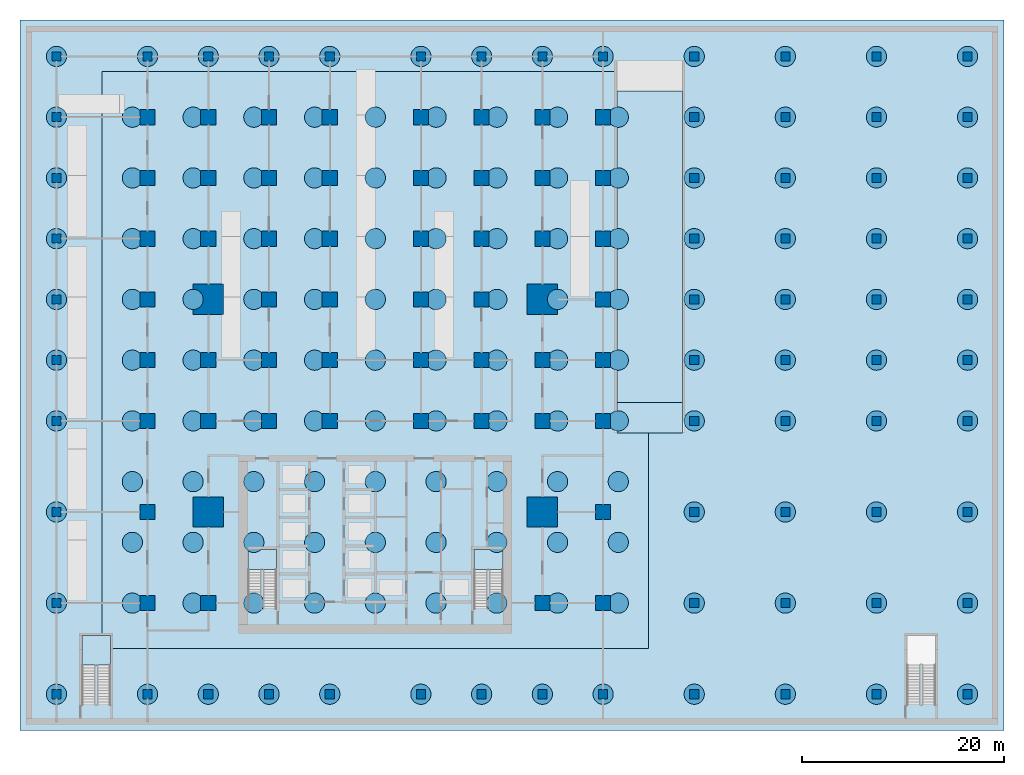
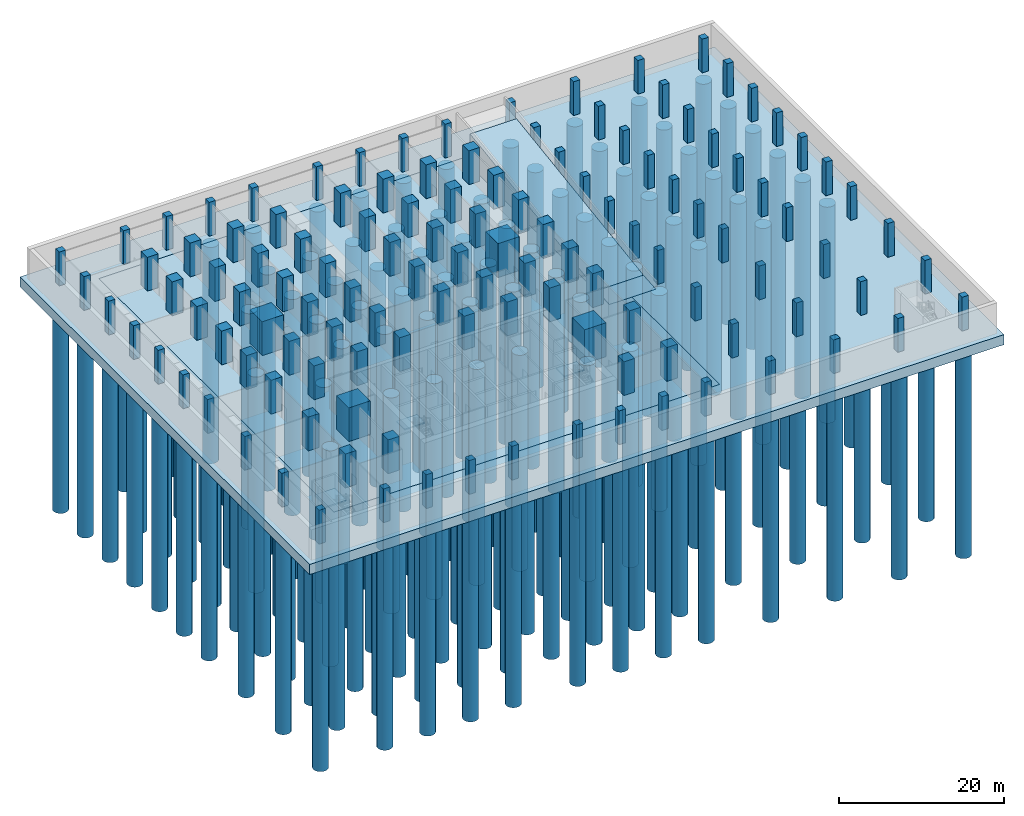
# One storey, part 1 of 12: 147 piles, 122 columns, 7 slabs, 3 elements without a shape of their own.
"""IFC4 building model written with IfcOpenShell, lengths in metres."""

from ifc_helpers import new_model, si_unit, direction, frame, origin, origin_2d, place, context, subcontext, project, spatial, polyline, rectangle, circle, outline, extrude, material, layer, layer_set, material_profile, profile_set, type_object, element, aggregate, save


model = new_model("IFC4")

# Units and contexts
model_context = context("Model", 3, precision=1e-05, world=origin(), true_north=direction((0.0, 1.0)))
body_context = subcontext(model_context, "Body", "Model", "MODEL_VIEW")
ifc_project = project(units=[si_unit("LENGTHUNIT", "METRE"), si_unit("AREAUNIT", "SQUARE_METRE"), si_unit("VOLUMEUNIT", "CUBIC_METRE"), si_unit("PLANEANGLEUNIT", "RADIAN"), si_unit("MASSUNIT", "GRAM", prefix="KILO")], contexts=[model_context])

# Site, building, storey
site_placement = place(None, origin())
site = spatial("IfcSite", under=ifc_project, at=site_placement, CompositionType="ELEMENT")
building_placement = place(site_placement, origin())
building = spatial("IfcBuilding", under=site, at=building_placement, Name="Finial Court Residences", CompositionType="ELEMENT")
storey_placement = place(building_placement, frame((0.0, 0.0, -5.0)))
storey = spatial("IfcBuildingStorey", under=building, at=storey_placement, Name="B1", CompositionType="ELEMENT", Elevation=-5.0)

# Piles
ifc_material_1 = material(Name="Concrete C45/55", Category="concrete")
ifc_material_profile_1 = material_profile(ifc_material_1, circle(Radius=1.0, at=origin_2d()), Name="D2000")
ifc_profile_set_1 = profile_set([ifc_material_profile_1], Name="Concrete C45/55")
pile_type = type_object("IfcPileType", Name="Bored pile (rock caisson) 2000 Concrete C45/55", PredefinedType="BORED", material=ifc_profile_set_1)
for number, where, z_axis, x_axis, name in (
    (1, (-24.0, -22.5, -3.39990234375), (0.0, 0.0, -1.0), (1.0, 0.0, 0.0), "S:PILE:001"),
    (2, (-24.0, -16.5, -3.39990234375), (0.0, 0.0, -1.0), (1.0, 0.0, 0.0), "S:PILE:002"),
    (3, (-24.0, -10.5, -3.39990234375), (0.0, 0.0, -1.0), (1.0, 0.0, 0.0), "S:PILE:003"),
    (4, (-24.0, -4.5, -3.39990234375), (0.0, 0.0, -1.0), (1.0, 0.0, 0.0), "S:PILE:004"),
    (5, (-24.0, 1.5, -3.39990234375), (0.0, 0.0, -1.0), (1.0, 0.0, 0.0), "S:PILE:005"),
    (6, (-24.0, 7.5, -3.39990234375), (0.0, 0.0, -1.0), (1.0, 0.0, 0.0), "S:PILE:006"),
    (7, (-24.0, 13.5, -3.39990234375), (0.0, 0.0, -1.0), (1.0, 0.0, 0.0), "S:PILE:007"),
    (8, (-24.0, 19.5, -3.39990234375), (0.0, 0.0, -1.0), (1.0, 0.0, 0.0), "S:PILE:008"),
    (9, (-24.0, 25.5, -3.39990234375), (0.0, 0.0, -1.0), (1.0, 0.0, 0.0), "S:PILE:009"),
    (10, (-18.0, -22.5, -3.39990234375), (0.0, 0.0, -1.0), (1.0, 0.0, 0.0), "S:PILE:010"),
    (11, (-18.0, -16.5, -3.39990234375), (0.0, 0.0, -1.0), (1.0, 0.0, 0.0), "S:PILE:011"),
    (12, (-18.0, -10.5, -3.39990234375), (0.0, 0.0, -1.0), (1.0, 0.0, 0.0), "S:PILE:012"),
    (13, (-18.0, -4.5, -3.39990234375), (0.0, 0.0, -1.0), (1.0, 0.0, 0.0), "S:PILE:013"),
    (14, (-18.0, 1.5, -3.39990234375), (0.0, 0.0, -1.0), (1.0, 0.0, 0.0), "S:PILE:014"),
    (15, (-18.0, 7.5, -3.39990234375), (0.0, 0.0, -1.0), (1.0, 0.0, 0.0), "S:PILE:015"),
    (16, (-18.0, 13.5, -3.39990234375), (0.0, 0.0, -1.0), (1.0, 0.0, 0.0), "S:PILE:016"),
    (17, (-18.0, 19.5, -3.39990234375), (0.0, 0.0, -1.0), (1.0, 0.0, 0.0), "S:PILE:017"),
    (18, (-18.0, 25.5, -3.39990234375), (0.0, 0.0, -1.0), (1.0, 0.0, 0.0), "S:PILE:018"),
    (19, (-12.0, -22.5, -3.39990234375), (0.0, 0.0, -1.0), (1.0, 0.0, 0.0), "S:PILE:019"),
    (20, (-12.0, -16.5, -3.39990234375), (0.0, 0.0, -1.0), (1.0, 0.0, 0.0), "S:PILE:020"),
    (21, (-12.0, -10.5, -3.39990234375), (0.0, 0.0, -1.0), (1.0, 0.0, 0.0), "S:PILE:021"),
    (22, (-12.0, -4.5, -3.39990234375), (0.0, 0.0, -1.0), (1.0, 0.0, 0.0), "S:PILE:022"),
    (23, (-12.0, 1.5, -3.39990234375), (0.0, 0.0, -1.0), (1.0, 0.0, 0.0), "S:PILE:023"),
    (24, (-12.0, 7.5, -3.39990234375), (0.0, 0.0, -1.0), (1.0, 0.0, 0.0), "S:PILE:024"),
    (25, (-12.0, 13.5, -3.39990234375), (0.0, 0.0, -1.0), (1.0, 0.0, 0.0), "S:PILE:025"),
    (26, (-12.0, 19.5, -3.39990234375), (0.0, 0.0, -1.0), (1.0, 0.0, 0.0), "S:PILE:026"),
    (27, (-12.0, 25.5, -3.39990234375), (0.0, 0.0, -1.0), (1.0, 0.0, 0.0), "S:PILE:027"),
    (28, (-6.0, -22.5, -3.39990234375), (0.0, 0.0, -1.0), (1.0, 0.0, 0.0), "S:PILE:028"),
    (29, (-6.0, -16.5, -3.39990234375), (0.0, 0.0, -1.0), (1.0, 0.0, 0.0), "S:PILE:029"),
    (30, (-6.0, -10.5, -3.39990234375), (0.0, 0.0, -1.0), (1.0, 0.0, 0.0), "S:PILE:030"),
    (31, (-6.0, -4.5, -3.39990234375), (0.0, 0.0, -1.0), (1.0, 0.0, 0.0), "S:PILE:031"),
    (32, (-6.0, 1.5, -3.39990234375), (0.0, 0.0, -1.0), (1.0, 0.0, 0.0), "S:PILE:032"),
    (33, (-6.0, 7.5, -3.39990234375), (0.0, 0.0, -1.0), (1.0, 0.0, 0.0), "S:PILE:033"),
    (34, (-6.0, 13.5, -3.39990234375), (0.0, 0.0, -1.0), (1.0, 0.0, 0.0), "S:PILE:034"),
    (35, (-6.0, 19.5, -3.39990234375), (0.0, 0.0, -1.0), (1.0, 0.0, 0.0), "S:PILE:035"),
    (36, (-6.0, 25.5, -3.39990234375), (0.0, 0.0, -1.0), (1.0, 0.0, 0.0), "S:PILE:036"),
    (37, (0.0, -22.5, -3.39990234375), (0.0, 0.0, -1.0), (1.0, 0.0, 0.0), "S:PILE:037"),
    (38, (0.0, -16.5, -3.39990234375), (0.0, 0.0, -1.0), (1.0, 0.0, 0.0), "S:PILE:038"),
    (39, (0.0, -10.5, -3.39990234375), (0.0, 0.0, -1.0), (1.0, 0.0, 0.0), "S:PILE:039"),
    (40, (0.0, -4.5, -3.39990234375), (0.0, 0.0, -1.0), (1.0, 0.0, 0.0), "S:PILE:040"),
    (41, (0.0, 1.5, -3.39990234375), (0.0, 0.0, -1.0), (1.0, 0.0, 0.0), "S:PILE:041"),
    (42, (0.0, 7.5, -3.39990234375), (0.0, 0.0, -1.0), (1.0, 0.0, 0.0), "S:PILE:042"),
    (43, (0.0, 13.5, -3.39990234375), (0.0, 0.0, -1.0), (1.0, 0.0, 0.0), "S:PILE:043"),
    (44, (0.0, 19.5, -3.39990234375), (0.0, 0.0, -1.0), (1.0, 0.0, 0.0), "S:PILE:044"),
    (45, (0.0, 25.5, -3.39990234375), (0.0, 0.0, -1.0), (1.0, 0.0, 0.0), "S:PILE:045"),
    (46, (6.0, -22.5, -3.39990234375), (0.0, 0.0, -1.0), (1.0, 0.0, 0.0), "S:PILE:046"),
    (47, (6.0, -16.5, -3.39990234375), (0.0, 0.0, -1.0), (1.0, 0.0, 0.0), "S:PILE:047"),
    (48, (6.0, -10.5, -3.39990234375), (0.0, 0.0, -1.0), (1.0, 0.0, 0.0), "S:PILE:048"),
    (49, (6.0, -4.5, -3.39990234375), (0.0, 0.0, -1.0), (1.0, 0.0, 0.0), "S:PILE:049"),
    (50, (6.0, 1.5, -3.39990234375), (0.0, 0.0, -1.0), (1.0, 0.0, 0.0), "S:PILE:050"),
    (51, (6.0, 7.5, -3.39990234375), (0.0, 0.0, -1.0), (1.0, 0.0, 0.0), "S:PILE:051"),
    (52, (6.0, 13.5, -3.39990234375), (0.0, 0.0, -1.0), (1.0, 0.0, 0.0), "S:PILE:052"),
    (53, (6.0, 19.5, -3.39990234375), (0.0, 0.0, -1.0), (1.0, 0.0, 0.0), "S:PILE:053"),
    (54, (6.0, 25.5, -3.39990234375), (0.0, 0.0, -1.0), (1.0, 0.0, 0.0), "S:PILE:054"),
    (55, (12.0, -22.5, -3.39990234375), (0.0, 0.0, -1.0), (1.0, 0.0, 0.0), "S:PILE:055"),
    (56, (12.0, -16.5, -3.39990234375), (0.0, 0.0, -1.0), (1.0, 0.0, 0.0), "S:PILE:056"),
    (57, (12.0, -10.5, -3.39990234375), (0.0, 0.0, -1.0), (1.0, 0.0, 0.0), "S:PILE:057"),
    (58, (12.0, -4.5, -3.39990234375), (0.0, 0.0, -1.0), (1.0, 0.0, 0.0), "S:PILE:058"),
    (59, (12.0, 1.5, -3.39990234375), (0.0, 0.0, -1.0), (1.0, 0.0, 0.0), "S:PILE:059"),
    (60, (12.0, 7.5, -3.39990234375), (0.0, 0.0, -1.0), (1.0, 0.0, 0.0), "S:PILE:060"),
    (61, (12.0, 13.5, -3.39990234375), (0.0, 0.0, -1.0), (1.0, 0.0, 0.0), "S:PILE:061"),
    (62, (12.0, 19.5, -3.39990234375), (0.0, 0.0, -1.0), (1.0, 0.0, 0.0), "S:PILE:062"),
    (63, (12.0, 25.5, -3.39990234375), (0.0, 0.0, -1.0), (1.0, 0.0, 0.0), "S:PILE:063"),
    (64, (18.0, -22.5, -3.39990234375), (0.0, 0.0, -1.0), (1.0, 0.0, 0.0), "S:PILE:064"),
    (65, (18.0, -16.5, -3.39990234375), (0.0, 0.0, -1.0), (1.0, 0.0, 0.0), "S:PILE:065"),
    (66, (18.0, -10.5, -3.39990234375), (0.0, 0.0, -1.0), (1.0, 0.0, 0.0), "S:PILE:066"),
    (67, (18.0, -4.5, -3.39990234375), (0.0, 0.0, -1.0), (1.0, 0.0, 0.0), "S:PILE:067"),
    (68, (18.0, 1.5, -3.39990234375), (0.0, 0.0, -1.0), (1.0, 0.0, 0.0), "S:PILE:068"),
    (69, (18.0, 7.5, -3.39990234375), (0.0, 0.0, -1.0), (1.0, 0.0, 0.0), "S:PILE:069"),
    (70, (18.0, 13.5, -3.39990234375), (0.0, 0.0, -1.0), (1.0, 0.0, 0.0), "S:PILE:070"),
    (71, (18.0, 19.5, -3.39990234375), (0.0, 0.0, -1.0), (1.0, 0.0, 0.0), "S:PILE:071"),
    (72, (18.0, 25.5, -3.39990234375), (0.0, 0.0, -1.0), (1.0, 0.0, 0.0), "S:PILE:072"),
    (73, (24.0, -22.5, -3.39990234375), (0.0, 0.0, -1.0), (1.0, 0.0, 0.0), "S:PILE:073"),
    (74, (24.0, -16.5, -3.39990234375), (0.0, 0.0, -1.0), (1.0, 0.0, 0.0), "S:PILE:074"),
    (75, (24.0, -10.5, -3.39990234375), (0.0, 0.0, -1.0), (1.0, 0.0, 0.0), "S:PILE:075"),
    (76, (24.0, -4.5, -3.39990234375), (0.0, 0.0, -1.0), (1.0, 0.0, 0.0), "S:PILE:076"),
    (77, (24.0, 1.5, -3.39990234375), (0.0, 0.0, -1.0), (1.0, 0.0, 0.0), "S:PILE:077"),
    (78, (24.0, 7.5, -3.39990234375), (0.0, 0.0, -1.0), (1.0, 0.0, 0.0), "S:PILE:078"),
    (79, (24.0, 13.5, -3.39990234375), (0.0, 0.0, -1.0), (1.0, 0.0, 0.0), "S:PILE:079"),
    (80, (24.0, 19.5, -3.39990234375), (0.0, 0.0, -1.0), (1.0, 0.0, 0.0), "S:PILE:080"),
    (81, (24.0, 25.5, -3.39990234375), (0.0, 0.0, -1.0), (1.0, 0.0, 0.0), "S:PILE:081"),
    (82, (-31.5, -31.5, -1.39990234375), (0.0, 0.0, -1.0), (1.0, 0.0, 0.0), "S:PILE:082"),
    (83, (-31.5, -22.5, -1.39990234375), (0.0, 0.0, -1.0), (1.0, 0.0, 0.0), "S:PILE:083"),
    (84, (-31.5, -13.5, -1.39990234375), (0.0, 0.0, -1.0), (1.0, 0.0, 0.0), "S:PILE:084"),
    (85, (-31.5, -4.5, -1.39990234375), (0.0, 0.0, -1.0), (1.0, 0.0, 0.0), "S:PILE:085"),
    (86, (-31.5, 1.5, -1.39990234375), (0.0, 0.0, -1.0), (1.0, 0.0, 0.0), "S:PILE:086"),
    (87, (-31.5, 7.5, -1.39990234375), (0.0, 0.0, -1.0), (1.0, 0.0, 0.0), "S:PILE:087"),
    (88, (-31.5, 13.5, -1.39990234375), (0.0, 0.0, -1.0), (1.0, 0.0, 0.0), "S:PILE:088"),
    (89, (-31.5, 19.5, -1.39990234375), (0.0, 0.0, -1.0), (1.0, 0.0, 0.0), "S:PILE:089"),
    (90, (-31.5, 25.5, -1.39990234375), (0.0, 0.0, -1.0), (1.0, 0.0, 0.0), "S:PILE:090"),
    (91, (-31.5, 31.5, -1.39990234375), (0.0, 0.0, -1.0), (1.0, 0.0, 0.0), "S:PILE:091"),
    (92, (-22.5, -31.5, -1.39990234375), (0.0, 0.0, -1.0), (1.0, 0.0, 0.0), "S:PILE:092"),
    (93, (-22.5, 31.5, -1.39990234375), (0.0, 0.0, -1.0), (1.0, 0.0, 0.0), "S:PILE:093"),
    (94, (-16.5, -31.5, -1.39990234375), (0.0, 0.0, -1.0), (1.0, 0.0, 0.0), "S:PILE:094"),
    (95, (-16.5, 31.5, -1.39990234375), (0.0, 0.0, -1.0), (1.0, 0.0, 0.0), "S:PILE:095"),
    (96, (-10.5, -31.5, -1.39990234375), (0.0, 0.0, -1.0), (1.0, 0.0, 0.0), "S:PILE:096"),
    (97, (-10.5, 31.5, -1.39990234375), (0.0, 0.0, -1.0), (1.0, 0.0, 0.0), "S:PILE:097"),
    (98, (-4.5, -31.5, -1.39990234375), (0.0, 0.0, -1.0), (1.0, 0.0, 0.0), "S:PILE:098"),
    (99, (-4.5, 31.5, -1.39990234375), (0.0, 0.0, -1.0), (1.0, 0.0, 0.0), "S:PILE:099"),
    (100, (4.5, -31.5, -1.39990234375), (0.0, 0.0, -1.0), (1.0, 0.0, 0.0), "S:PILE:100"),
    (101, (4.5, 31.5, -1.39990234375), (0.0, 0.0, -1.0), (1.0, 0.0, 0.0), "S:PILE:101"),
    (102, (10.5, -31.5, -1.39990234375), (0.0, 0.0, -1.0), (1.0, 0.0, 0.0), "S:PILE:102"),
    (103, (10.5, 31.5, -1.39990234375), (0.0, 0.0, -1.0), (1.0, 0.0, 0.0), "S:PILE:103"),
    (104, (16.5, -31.5, -1.39990234375), (0.0, 0.0, -1.0), (1.0, 0.0, 0.0), "S:PILE:104"),
    (105, (16.5, 31.5, -1.39990234375), (0.0, 0.0, -1.0), (1.0, 0.0, 0.0), "S:PILE:105"),
    (106, (22.5, -31.5, -1.39990234375), (0.0, 0.0, -1.0), (1.0, 0.0, 0.0), "S:PILE:106"),
    (107, (22.5, 31.5, -1.39990234375), (0.0, 0.0, -1.0), (1.0, 0.0, 0.0), "S:PILE:107"),
    (108, (31.5, -31.5, -1.39990234375), (0.0, 0.0, -1.0), (1.0, 0.0, 0.0), "S:PILE:108"),
    (109, (31.5, -22.5, -1.39990234375), (0.0, 0.0, -1.0), (1.0, 0.0, 0.0), "S:PILE:109"),
    (110, (31.5, -13.5, -1.39990234375), (0.0, 0.0, -1.0), (1.0, 0.0, 0.0), "S:PILE:110"),
    (111, (31.5, -4.5, -1.39990234375), (0.0, 0.0, -1.0), (1.0, 0.0, 0.0), "S:PILE:111"),
    (112, (31.5, 1.5, -1.39990234375), (0.0, 0.0, -1.0), (1.0, 0.0, 0.0), "S:PILE:112"),
    (113, (31.5, 7.5, -1.39990234375), (0.0, 0.0, -1.0), (1.0, 0.0, 0.0), "S:PILE:113"),
    (114, (31.5, 13.5, -1.39990234375), (0.0, 0.0, -1.0), (1.0, 0.0, 0.0), "S:PILE:114"),
    (115, (31.5, 19.5, -1.39990234375), (0.0, 0.0, -1.0), (1.0, 0.0, 0.0), "S:PILE:115"),
    (116, (31.5, 25.5, -1.39990234375), (0.0, 0.0, -1.0), (1.0, 0.0, 0.0), "S:PILE:116"),
    (117, (31.5, 31.5, -1.39990234375), (0.0, 0.0, -1.0), (1.0, 0.0, 0.0), "S:PILE:117"),
    (118, (40.5, -31.5, -1.39990234375), (0.0, 0.0, -1.0), (1.0, 0.0, 0.0), "S:PILE:118"),
    (119, (40.5, -22.5, -1.39990234375), (0.0, 0.0, -1.0), (1.0, 0.0, 0.0), "S:PILE:119"),
    (120, (40.5, -13.5, -1.39990234375), (0.0, 0.0, -1.0), (1.0, 0.0, 0.0), "S:PILE:120"),
    (121, (40.5, -4.5, -1.39990234375), (0.0, 0.0, -1.0), (1.0, 0.0, 0.0), "S:PILE:121"),
    (122, (40.5, 1.5, -1.39990234375), (0.0, 0.0, -1.0), (1.0, 0.0, 0.0), "S:PILE:122"),
    (123, (40.5, 7.5, -1.39990234375), (0.0, 0.0, -1.0), (1.0, 0.0, 0.0), "S:PILE:123"),
    (124, (40.5, 13.5, -1.39990234375), (0.0, 0.0, -1.0), (1.0, 0.0, 0.0), "S:PILE:124"),
    (125, (40.5, 19.5, -1.39990234375), (0.0, 0.0, -1.0), (1.0, 0.0, 0.0), "S:PILE:125"),
    (126, (40.5, 25.5, -1.39990234375), (0.0, 0.0, -1.0), (1.0, 0.0, 0.0), "S:PILE:126"),
    (127, (40.5, 31.5, -1.39990234375), (0.0, 0.0, -1.0), (1.0, 0.0, 0.0), "S:PILE:127"),
    (128, (49.5, -31.5, -1.39990234375), (0.0, 0.0, -1.0), (1.0, 0.0, 0.0), "S:PILE:128"),
    (129, (49.5, -22.5, -1.39990234375), (0.0, 0.0, -1.0), (1.0, 0.0, 0.0), "S:PILE:129"),
    (130, (49.5, -13.5, -1.39990234375), (0.0, 0.0, -1.0), (1.0, 0.0, 0.0), "S:PILE:130"),
    (131, (49.5, -4.5, -1.39990234375), (0.0, 0.0, -1.0), (1.0, 0.0, 0.0), "S:PILE:131"),
    (132, (49.5, 1.5, -1.39990234375), (0.0, 0.0, -1.0), (1.0, 0.0, 0.0), "S:PILE:132"),
    (133, (49.5, 7.5, -1.39990234375), (0.0, 0.0, -1.0), (1.0, 0.0, 0.0), "S:PILE:133"),
    (134, (49.5, 13.5, -1.39990234375), (0.0, 0.0, -1.0), (1.0, 0.0, 0.0), "S:PILE:134"),
    (135, (49.5, 19.5, -1.39990234375), (0.0, 0.0, -1.0), (1.0, 0.0, 0.0), "S:PILE:135"),
    (136, (49.5, 25.5, -1.39990234375), (0.0, 0.0, -1.0), (1.0, 0.0, 0.0), "S:PILE:136"),
    (137, (49.5, 31.5, -1.39990234375), (0.0, 0.0, -1.0), (1.0, 0.0, 0.0), "S:PILE:137"),
    (138, (58.5, -31.5, -1.39990234375), (0.0, 0.0, -1.0), (1.0, 0.0, 0.0), "S:PILE:138"),
    (139, (58.5, -22.5, -1.39990234375), (0.0, 0.0, -1.0), (1.0, 0.0, 0.0), "S:PILE:139"),
    (140, (58.5, -13.5, -1.39990234375), (0.0, 0.0, -1.0), (1.0, 0.0, 0.0), "S:PILE:140"),
    (141, (58.5, -4.5, -1.39990234375), (0.0, 0.0, -1.0), (1.0, 0.0, 0.0), "S:PILE:141"),
    (142, (58.5, 1.5, -1.39990234375), (0.0, 0.0, -1.0), (1.0, 0.0, 0.0), "S:PILE:142"),
    (143, (58.5, 7.5, -1.39990234375), (0.0, 0.0, -1.0), (1.0, 0.0, 0.0), "S:PILE:143"),
    (144, (58.5, 13.5, -1.39990234375), (0.0, 0.0, -1.0), (1.0, 0.0, 0.0), "S:PILE:144"),
    (145, (58.5, 19.5, -1.39990234375), (0.0, 0.0, -1.0), (1.0, 0.0, 0.0), "S:PILE:145"),
    (146, (58.5, 25.5, -1.39990234375), (0.0, 0.0, -1.0), (1.0, 0.0, 0.0), "S:PILE:146"),
    (147, (58.5, 31.5, -1.39990234375), (0.0, 0.0, -1.0), (1.0, 0.0, 0.0), "S:PILE:147"),
):
    element("IfcPile", number, at=place(storey_placement, frame(where, z_axis=z_axis, x_axis=x_axis)), inside=storey, type_object=pile_type, Name=name, PredefinedType="BORED", context=body_context, shape_type="SweptSolid", body=[
        extrude(circle(Radius=1.0, at=origin_2d()), origin(), (0.0, 0.0, 1.0), 32.0),
    ])

# Columns
ifc_material_2 = material(Name="Concrete C80/95", Category="concrete")
ifc_material_profile_2 = material_profile(ifc_material_2, rectangle(XDim=1.5, YDim=1.5, at=origin_2d()), Name="1500x1500")
ifc_profile_set_2 = profile_set([ifc_material_profile_2], Name="Concrete C80/95")
column_type_1 = type_object("IfcColumnType", Name="Interior column 1500x1500 Concrete C80/95", PredefinedType="COLUMN", material=ifc_profile_set_2)
for number, where, z_axis, x_axis, name in (
    (148, (-22.5, -22.5, 0.0), (0.0, 0.0, 1.0), (1.0, 0.0, 0.0), "S:COL:B1:B2"),
    (149, (-22.5, -13.5, 0.0), (0.0, 0.0, 1.0), (1.0, 0.0, 0.0), "S:COL:B1:B3"),
    (150, (-22.5, -4.5, 0.0), (0.0, 0.0, 1.0), (1.0, 0.0, 0.0), "S:COL:B1:B4"),
    (151, (-22.5, 1.5, 0.0), (0.0, 0.0, 1.0), (1.0, 0.0, 0.0), "S:COL:B1:B5"),
    (152, (-22.5, 7.5, 0.0), (0.0, 0.0, 1.0), (1.0, 0.0, 0.0), "S:COL:B1:B6"),
    (153, (-22.5, 13.5, 0.0), (0.0, 0.0, 1.0), (1.0, 0.0, 0.0), "S:COL:B1:B7"),
    (154, (-22.5, 19.5, 0.0), (0.0, 0.0, 1.0), (1.0, 0.0, 0.0), "S:COL:B1:B8"),
    (155, (-22.5, 25.5, 0.0), (0.0, 0.0, 1.0), (1.0, 0.0, 0.0), "S:COL:B1:B9"),
    (156, (-16.5, -22.5, 0.0), (0.0, 0.0, 1.0), (1.0, 0.0, 0.0), "S:COL:B1:C2"),
    (157, (-16.5, -4.5, 0.0), (0.0, 0.0, 1.0), (1.0, 0.0, 0.0), "S:COL:B1:C4"),
    (158, (-16.5, 1.5, 0.0), (0.0, 0.0, 1.0), (1.0, 0.0, 0.0), "S:COL:B1:C5"),
    (159, (-16.5, 13.5, 0.0), (0.0, 0.0, 1.0), (1.0, 0.0, 0.0), "S:COL:B1:C7"),
    (160, (-16.5, 19.5, 0.0), (0.0, 0.0, 1.0), (1.0, 0.0, 0.0), "S:COL:B1:C8"),
    (161, (-16.5, 25.5, 0.0), (0.0, 0.0, 1.0), (1.0, 0.0, 0.0), "S:COL:B1:C9"),
    (162, (-10.5, -4.5, 0.0), (0.0, 0.0, 1.0), (1.0, 0.0, 0.0), "S:COL:B1:D4"),
    (163, (-10.5, 1.5, 0.0), (0.0, 0.0, 1.0), (1.0, 0.0, 0.0), "S:COL:B1:D5"),
    (164, (-10.5, 7.5, 0.0), (0.0, 0.0, 1.0), (1.0, 0.0, 0.0), "S:COL:B1:D6"),
    (165, (-10.5, 13.5, 0.0), (0.0, 0.0, 1.0), (1.0, 0.0, 0.0), "S:COL:B1:D7"),
    (166, (-10.5, 19.5, 0.0), (0.0, 0.0, 1.0), (1.0, 0.0, 0.0), "S:COL:B1:D8"),
    (167, (-10.5, 25.5, 0.0), (0.0, 0.0, 1.0), (1.0, 0.0, 0.0), "S:COL:B1:D9"),
    (168, (-4.5, -4.5, 0.0), (0.0, 0.0, 1.0), (1.0, 0.0, 0.0), "S:COL:B1:E4"),
    (169, (-4.5, 1.5, 0.0), (0.0, 0.0, 1.0), (1.0, 0.0, 0.0), "S:COL:B1:E5"),
    (170, (-4.5, 7.5, 0.0), (0.0, 0.0, 1.0), (1.0, 0.0, 0.0), "S:COL:B1:E6"),
    (171, (-4.5, 13.5, 0.0), (0.0, 0.0, 1.0), (1.0, 0.0, 0.0), "S:COL:B1:E7"),
    (172, (-4.5, 19.5, 0.0), (0.0, 0.0, 1.0), (1.0, 0.0, 0.0), "S:COL:B1:E8"),
    (173, (-4.5, 25.5, 0.0), (0.0, 0.0, 1.0), (1.0, 0.0, 0.0), "S:COL:B1:E9"),
    (174, (4.5, -4.5, 0.0), (0.0, 0.0, 1.0), (1.0, 0.0, 0.0), "S:COL:B1:F4"),
    (175, (4.5, 1.5, 0.0), (0.0, 0.0, 1.0), (1.0, 0.0, 0.0), "S:COL:B1:F5"),
    (176, (4.5, 7.5, 0.0), (0.0, 0.0, 1.0), (1.0, 0.0, 0.0), "S:COL:B1:F6"),
    (177, (4.5, 13.5, 0.0), (0.0, 0.0, 1.0), (1.0, 0.0, 0.0), "S:COL:B1:F7"),
    (178, (4.5, 19.5, 0.0), (0.0, 0.0, 1.0), (1.0, 0.0, 0.0), "S:COL:B1:F8"),
    (179, (4.5, 25.5, 0.0), (0.0, 0.0, 1.0), (1.0, 0.0, 0.0), "S:COL:B1:F9"),
    (180, (10.5, -4.5, 0.0), (0.0, 0.0, 1.0), (1.0, 0.0, 0.0), "S:COL:B1:G4"),
    (181, (10.5, 1.5, 0.0), (0.0, 0.0, 1.0), (1.0, 0.0, 0.0), "S:COL:B1:G5"),
    (182, (10.5, 7.5, 0.0), (0.0, 0.0, 1.0), (1.0, 0.0, 0.0), "S:COL:B1:G6"),
    (183, (10.5, 13.5, 0.0), (0.0, 0.0, 1.0), (1.0, 0.0, 0.0), "S:COL:B1:G7"),
    (184, (10.5, 19.5, 0.0), (0.0, 0.0, 1.0), (1.0, 0.0, 0.0), "S:COL:B1:G8"),
    (185, (10.5, 25.5, 0.0), (0.0, 0.0, 1.0), (1.0, 0.0, 0.0), "S:COL:B1:G9"),
    (186, (16.5, -22.5, 0.0), (0.0, 0.0, 1.0), (1.0, 0.0, 0.0), "S:COL:B1:H2"),
    (187, (16.5, -4.5, 0.0), (0.0, 0.0, 1.0), (1.0, 0.0, 0.0), "S:COL:B1:H4"),
    (188, (16.5, 1.5, 0.0), (0.0, 0.0, 1.0), (1.0, 0.0, 0.0), "S:COL:B1:H5"),
    (189, (16.5, 13.5, 0.0), (0.0, 0.0, 1.0), (1.0, 0.0, 0.0), "S:COL:B1:H7"),
    (190, (16.5, 19.5, 0.0), (0.0, 0.0, 1.0), (1.0, 0.0, 0.0), "S:COL:B1:H8"),
    (191, (16.5, 25.5, 0.0), (0.0, 0.0, 1.0), (1.0, 0.0, 0.0), "S:COL:B1:H9"),
    (192, (22.5, -22.5, 0.0), (0.0, 0.0, 1.0), (1.0, 0.0, 0.0), "S:COL:B1:I2"),
    (193, (22.5, -13.5, 0.0), (0.0, 0.0, 1.0), (1.0, 0.0, 0.0), "S:COL:B1:I3"),
    (194, (22.5, -4.5, 0.0), (0.0, 0.0, 1.0), (1.0, 0.0, 0.0), "S:COL:B1:I4"),
    (195, (22.5, 1.5, 0.0), (0.0, 0.0, 1.0), (1.0, 0.0, 0.0), "S:COL:B1:I5"),
    (196, (22.5, 7.5, 0.0), (0.0, 0.0, 1.0), (1.0, 0.0, 0.0), "S:COL:B1:I6"),
    (197, (22.5, 13.5, 0.0), (0.0, 0.0, 1.0), (1.0, 0.0, 0.0), "S:COL:B1:I7"),
    (198, (22.5, 19.5, 0.0), (0.0, 0.0, 1.0), (1.0, 0.0, 0.0), "S:COL:B1:I8"),
    (199, (22.5, 25.5, 0.0), (0.0, 0.0, 1.0), (1.0, 0.0, 0.0), "S:COL:B1:I9"),
):
    element("IfcColumn", number, at=place(storey_placement, frame(where, z_axis=z_axis, x_axis=x_axis)), inside=storey, type_object=column_type_1, Name=name, PredefinedType="COLUMN", context=body_context, shape_type="SweptSolid", body=[
        extrude(rectangle(XDim=1.5, YDim=1.5, at=origin_2d()), origin(), (0.0, 0.0, 1.0), 5.0),
    ])
ifc_material_profile_3 = material_profile(ifc_material_2, rectangle(XDim=3.0, YDim=3.0, at=origin_2d()), Name="3000x3000")
ifc_profile_set_3 = profile_set([ifc_material_profile_3], Name="Concrete C80/95")
column_type_2 = type_object("IfcColumnType", Name="Mega column 3000x3000 Concrete C80/95", PredefinedType="COLUMN", material=ifc_profile_set_3)
for number, where, z_axis, x_axis, name in (
    (200, (-16.5, -13.5, 0.0), (0.0, 0.0, 1.0), (1.0, 0.0, 0.0), "S:COL:B1:C3"),
    (201, (-16.5, 7.5, 0.0), (0.0, 0.0, 1.0), (1.0, 0.0, 0.0), "S:COL:B1:C6"),
    (202, (16.5, -13.5, 0.0), (0.0, 0.0, 1.0), (1.0, 0.0, 0.0), "S:COL:B1:H3"),
    (203, (16.5, 7.5, 0.0), (0.0, 0.0, 1.0), (1.0, 0.0, 0.0), "S:COL:B1:H6"),
):
    element("IfcColumn", number, at=place(storey_placement, frame(where, z_axis=z_axis, x_axis=x_axis)), inside=storey, type_object=column_type_2, Name=name, PredefinedType="COLUMN", context=body_context, shape_type="SweptSolid", body=[
        extrude(rectangle(XDim=3.0, YDim=3.0, at=origin_2d()), origin(), (0.0, 0.0, 1.0), 5.0),
    ])
ifc_material_3 = material(Name="Concrete C50/60", Category="concrete")
ifc_material_profile_4 = material_profile(ifc_material_3, rectangle(XDim=0.89990234375, YDim=0.89990234375, at=origin_2d()), Name="900x900")
ifc_profile_set_4 = profile_set([ifc_material_profile_4], Name="Concrete C50/60")
column_type_3 = type_object("IfcColumnType", Name="Podium column 900x900 Concrete C50/60", PredefinedType="COLUMN", material=ifc_profile_set_4)
for number, where, z_axis, x_axis, name in (
    (204, (-31.5, -31.5, 0.0), (0.0, 0.0, 1.0), (1.0, 0.0, 0.0), "S:COL:B1:A1"),
    (205, (-31.5, -22.5, 0.0), (0.0, 0.0, 1.0), (1.0, 0.0, 0.0), "S:COL:B1:A2"),
    (206, (-31.5, -13.5, 0.0), (0.0, 0.0, 1.0), (1.0, 0.0, 0.0), "S:COL:B1:A3"),
    (207, (-31.5, -4.5, 0.0), (0.0, 0.0, 1.0), (1.0, 0.0, 0.0), "S:COL:B1:A4"),
    (208, (-31.5, 1.5, 0.0), (0.0, 0.0, 1.0), (1.0, 0.0, 0.0), "S:COL:B1:A5"),
    (209, (-31.5, 7.5, 0.0), (0.0, 0.0, 1.0), (1.0, 0.0, 0.0), "S:COL:B1:A6"),
    (210, (-31.5, 13.5, 0.0), (0.0, 0.0, 1.0), (1.0, 0.0, 0.0), "S:COL:B1:A7"),
    (211, (-31.5, 19.5, 0.0), (0.0, 0.0, 1.0), (1.0, 0.0, 0.0), "S:COL:B1:A8"),
    (212, (-31.5, 25.5, 0.0), (0.0, 0.0, 1.0), (1.0, 0.0, 0.0), "S:COL:B1:A9"),
    (213, (-31.5, 31.5, 0.0), (0.0, 0.0, 1.0), (1.0, 0.0, 0.0), "S:COL:B1:A10"),
    (214, (-22.5, -31.5, 0.0), (0.0, 0.0, 1.0), (1.0, 0.0, 0.0), "S:COL:B1:B1"),
    (215, (-22.5, 31.5, 0.0), (0.0, 0.0, 1.0), (1.0, 0.0, 0.0), "S:COL:B1:B10"),
    (216, (-16.5, -31.5, 0.0), (0.0, 0.0, 1.0), (1.0, 0.0, 0.0), "S:COL:B1:C1"),
    (217, (-16.5, 31.5, 0.0), (0.0, 0.0, 1.0), (1.0, 0.0, 0.0), "S:COL:B1:C10"),
    (218, (-10.5, -31.5, 0.0), (0.0, 0.0, 1.0), (1.0, 0.0, 0.0), "S:COL:B1:D1"),
    (219, (-10.5, 31.5, 0.0), (0.0, 0.0, 1.0), (1.0, 0.0, 0.0), "S:COL:B1:D10"),
    (220, (-4.5, -31.5, 0.0), (0.0, 0.0, 1.0), (1.0, 0.0, 0.0), "S:COL:B1:E1"),
    (221, (-4.5, 31.5, 0.0), (0.0, 0.0, 1.0), (1.0, 0.0, 0.0), "S:COL:B1:E10"),
    (222, (4.5, -31.5, 0.0), (0.0, 0.0, 1.0), (1.0, 0.0, 0.0), "S:COL:B1:F1"),
    (223, (4.5, 31.5, 0.0), (0.0, 0.0, 1.0), (1.0, 0.0, 0.0), "S:COL:B1:F10"),
    (224, (10.5, -31.5, 0.0), (0.0, 0.0, 1.0), (1.0, 0.0, 0.0), "S:COL:B1:G1"),
    (225, (10.5, 31.5, 0.0), (0.0, 0.0, 1.0), (1.0, 0.0, 0.0), "S:COL:B1:G10"),
    (226, (16.5, -31.5, 0.0), (0.0, 0.0, 1.0), (1.0, 0.0, 0.0), "S:COL:B1:H1"),
    (227, (16.5, 31.5, 0.0), (0.0, 0.0, 1.0), (1.0, 0.0, 0.0), "S:COL:B1:H10"),
    (228, (22.5, -31.5, 0.0), (0.0, 0.0, 1.0), (1.0, 0.0, 0.0), "S:COL:B1:I1"),
    (229, (22.5, 31.5, 0.0), (0.0, 0.0, 1.0), (1.0, 0.0, 0.0), "S:COL:B1:I10"),
    (230, (31.5, -31.5, 0.0), (0.0, 0.0, 1.0), (1.0, 0.0, 0.0), "S:COL:B1:J1"),
    (231, (31.5, -22.5, 0.0), (0.0, 0.0, 1.0), (1.0, 0.0, 0.0), "S:COL:B1:J2"),
    (232, (31.5, -13.5, 0.0), (0.0, 0.0, 1.0), (1.0, 0.0, 0.0), "S:COL:B1:J3"),
    (233, (31.5, -4.5, 0.0), (0.0, 0.0, 1.0), (1.0, 0.0, 0.0), "S:COL:B1:J4"),
    (234, (31.5, 1.5, 0.0), (0.0, 0.0, 1.0), (1.0, 0.0, 0.0), "S:COL:B1:J5"),
    (235, (31.5, 7.5, 0.0), (0.0, 0.0, 1.0), (1.0, 0.0, 0.0), "S:COL:B1:J6"),
    (236, (31.5, 13.5, 0.0), (0.0, 0.0, 1.0), (1.0, 0.0, 0.0), "S:COL:B1:J7"),
    (237, (31.5, 19.5, 0.0), (0.0, 0.0, 1.0), (1.0, 0.0, 0.0), "S:COL:B1:J8"),
    (238, (31.5, 25.5, 0.0), (0.0, 0.0, 1.0), (1.0, 0.0, 0.0), "S:COL:B1:J9"),
    (239, (31.5, 31.5, 0.0), (0.0, 0.0, 1.0), (1.0, 0.0, 0.0), "S:COL:B1:J10"),
    (240, (40.5, -31.5, 0.0), (0.0, 0.0, 1.0), (1.0, 0.0, 0.0), "S:COL:B1:K1"),
    (241, (40.5, -22.5, 0.0), (0.0, 0.0, 1.0), (1.0, 0.0, 0.0), "S:COL:B1:K2"),
    (242, (40.5, -13.5, 0.0), (0.0, 0.0, 1.0), (1.0, 0.0, 0.0), "S:COL:B1:K3"),
    (243, (40.5, -4.5, 0.0), (0.0, 0.0, 1.0), (1.0, 0.0, 0.0), "S:COL:B1:K4"),
    (244, (40.5, 1.5, 0.0), (0.0, 0.0, 1.0), (1.0, 0.0, 0.0), "S:COL:B1:K5"),
    (245, (40.5, 7.5, 0.0), (0.0, 0.0, 1.0), (1.0, 0.0, 0.0), "S:COL:B1:K6"),
    (246, (40.5, 13.5, 0.0), (0.0, 0.0, 1.0), (1.0, 0.0, 0.0), "S:COL:B1:K7"),
    (247, (40.5, 19.5, 0.0), (0.0, 0.0, 1.0), (1.0, 0.0, 0.0), "S:COL:B1:K8"),
    (248, (40.5, 25.5, 0.0), (0.0, 0.0, 1.0), (1.0, 0.0, 0.0), "S:COL:B1:K9"),
    (249, (40.5, 31.5, 0.0), (0.0, 0.0, 1.0), (1.0, 0.0, 0.0), "S:COL:B1:K10"),
    (250, (49.5, -31.5, 0.0), (0.0, 0.0, 1.0), (1.0, 0.0, 0.0), "S:COL:B1:L1"),
    (251, (49.5, -22.5, 0.0), (0.0, 0.0, 1.0), (1.0, 0.0, 0.0), "S:COL:B1:L2"),
    (252, (49.5, -13.5, 0.0), (0.0, 0.0, 1.0), (1.0, 0.0, 0.0), "S:COL:B1:L3"),
    (253, (49.5, -4.5, 0.0), (0.0, 0.0, 1.0), (1.0, 0.0, 0.0), "S:COL:B1:L4"),
    (254, (49.5, 1.5, 0.0), (0.0, 0.0, 1.0), (1.0, 0.0, 0.0), "S:COL:B1:L5"),
    (255, (49.5, 7.5, 0.0), (0.0, 0.0, 1.0), (1.0, 0.0, 0.0), "S:COL:B1:L6"),
    (256, (49.5, 13.5, 0.0), (0.0, 0.0, 1.0), (1.0, 0.0, 0.0), "S:COL:B1:L7"),
    (257, (49.5, 19.5, 0.0), (0.0, 0.0, 1.0), (1.0, 0.0, 0.0), "S:COL:B1:L8"),
    (258, (49.5, 25.5, 0.0), (0.0, 0.0, 1.0), (1.0, 0.0, 0.0), "S:COL:B1:L9"),
    (259, (49.5, 31.5, 0.0), (0.0, 0.0, 1.0), (1.0, 0.0, 0.0), "S:COL:B1:L10"),
    (260, (58.5, -31.5, 0.0), (0.0, 0.0, 1.0), (1.0, 0.0, 0.0), "S:COL:B1:M1"),
    (261, (58.5, -22.5, 0.0), (0.0, 0.0, 1.0), (1.0, 0.0, 0.0), "S:COL:B1:M2"),
    (262, (58.5, -13.5, 0.0), (0.0, 0.0, 1.0), (1.0, 0.0, 0.0), "S:COL:B1:M3"),
    (263, (58.5, -4.5, 0.0), (0.0, 0.0, 1.0), (1.0, 0.0, 0.0), "S:COL:B1:M4"),
    (264, (58.5, 1.5, 0.0), (0.0, 0.0, 1.0), (1.0, 0.0, 0.0), "S:COL:B1:M5"),
    (265, (58.5, 7.5, 0.0), (0.0, 0.0, 1.0), (1.0, 0.0, 0.0), "S:COL:B1:M6"),
    (266, (58.5, 13.5, 0.0), (0.0, 0.0, 1.0), (1.0, 0.0, 0.0), "S:COL:B1:M7"),
    (267, (58.5, 19.5, 0.0), (0.0, 0.0, 1.0), (1.0, 0.0, 0.0), "S:COL:B1:M8"),
    (268, (58.5, 25.5, 0.0), (0.0, 0.0, 1.0), (1.0, 0.0, 0.0), "S:COL:B1:M9"),
    (269, (58.5, 31.5, 0.0), (0.0, 0.0, 1.0), (1.0, 0.0, 0.0), "S:COL:B1:M10"),
):
    element("IfcColumn", number, at=place(storey_placement, frame(where, z_axis=z_axis, x_axis=x_axis)), inside=storey, type_object=column_type_3, Name=name, PredefinedType="COLUMN", context=body_context, shape_type="SweptSolid", body=[
        extrude(rectangle(XDim=0.89990234375, YDim=0.89990234375, at=origin_2d()), origin(), (0.0, 0.0, 1.0), 5.0),
    ])

# Stair, slab
stair_type = type_object("IfcStairType", Name="Exit stair 30 risers of 166.7 mm", PredefinedType="HALF_TURN_STAIR", material=ifc_material_3)
stair_1_placement = place(storey_placement, origin())
stair_1 = element("IfcStair", 270, at=stair_1_placement, inside=storey, type_object=stair_type, Name="B1 Exit stair ST-1", PredefinedType="HALF_TURN_STAIR")
ifc_layer_1 = layer(ifc_material_3, 0.199951171875)
ifc_layer_set_1 = layer_set([ifc_layer_1], Name="Exit stair landing")
slab_type_1 = type_object("IfcSlabType", Name="Exit stair landing", PredefinedType="LANDING", material=ifc_layer_set_1)
slab_1_placement = place(storey_placement, frame((0.0, 0.0, 2.300048828125)))
slab_1 = element("IfcSlab", 271, at=slab_1_placement, type_object=slab_type_1, Name="ST-1 landing 1", PredefinedType="LANDING", context=body_context, shape_type="SweptSolid", body=[
    extrude(outline(polyline([(-9.75, -19.179931640625), (-9.75, -17.199951171875), (-12.60009765625, -17.199951171875), (-12.60009765625, -19.179931640625), (-9.75, -19.179931640625)])), origin(), (0.0, 0.0, 1.0), 0.199951171875),
])
aggregate(stair_1, [slab_1])

stair_2_placement = place(storey_placement, origin())
stair_2 = element("IfcStair", 272, at=stair_2_placement, inside=storey, type_object=stair_type, Name="B1 Exit stair ST-2", PredefinedType="HALF_TURN_STAIR")
slab_2_placement = place(storey_placement, frame((0.0, 0.0, 2.300048828125)))
slab_2 = element("IfcSlab", 273, at=slab_2_placement, type_object=slab_type_1, Name="ST-2 landing 1", PredefinedType="LANDING", context=body_context, shape_type="SweptSolid", body=[
    extrude(outline(polyline([(12.60009765625, -19.179931640625), (12.60009765625, -17.199951171875), (9.75, -17.199951171875), (9.75, -19.179931640625), (12.60009765625, -19.179931640625)])), origin(), (0.0, 0.0, 1.0), 0.199951171875),
])
aggregate(stair_2, [slab_2])

stair_3_placement = place(storey_placement, origin())
stair_3 = element("IfcStair", 274, at=stair_3_placement, inside=storey, type_object=stair_type, Name="B1 Exit Stair 4", PredefinedType="HALF_TURN_STAIR")
slab_3_placement = place(storey_placement, frame((0.0, 0.0, 2.300048828125)))
slab_3 = element("IfcSlab", 275, at=slab_3_placement, type_object=slab_type_1, Name="ST-4 landing 1", PredefinedType="LANDING", context=body_context, shape_type="SweptSolid", body=[
    extrude(outline(polyline([(-26.14990234375, -28.6298828125), (-26.14990234375, -25.719970703125), (-29.0, -25.719970703125), (-29.0, -28.6298828125), (-26.14990234375, -28.6298828125)])), origin(), (0.0, 0.0, 1.0), 0.199951171875),
])
aggregate(stair_3, [slab_3])

# Slabs
ifc_material_4 = material(Name="Concrete C32/40", Category="concrete")
slab_type_2 = type_object("IfcSlabType", Name="Garage ramp slab", PredefinedType="USERDEFINED", material=ifc_material_4)
slab_4_placement = place(storey_placement, frame((27.10009765625, 28.10009765625, 0.0), z_axis=(0.0, 0.0, 1.0), x_axis=(0.0, -1.0, 0.0)))
element("IfcSlab", 276, at=slab_4_placement, inside=storey, type_object=slab_type_2, Name="Vehicle ramp main run", ObjectType="VEHICLE RAMP", PredefinedType="USERDEFINED", context=body_context, shape_type="SweptSolid", body=[
    extrude(outline(polyline([(0.0, 0.0), (30.7900390625, 0.0), (30.7900390625, 0.25), (0.0, 4.75), (0.0, 0.0)])), frame((0.0, 3.25, 0.0), z_axis=(0.0, -1.0, 0.0), x_axis=(1.0, 0.0, 0.0)), (0.0, 0.0, 1.0), 6.5),
])
slab_5_placement = place(storey_placement, frame((27.10009765625, -2.68994140625, 0.0), z_axis=(0.0, 0.0, 1.0), x_axis=(0.0, -1.0, 0.0)))
element("IfcSlab", 277, at=slab_5_placement, inside=storey, type_object=slab_type_2, Name="Vehicle ramp bottom transition", ObjectType="VEHICLE RAMP", PredefinedType="USERDEFINED", context=body_context, shape_type="SweptSolid", body=[
    extrude(outline(polyline([(0.0, 0.0), (3.0, 0.0), (3.0, 0.0), (0.0, 0.25), (0.0, 0.0)])), frame((0.0, 3.25, 0.0), z_axis=(0.0, -1.0, 0.0), x_axis=(1.0, 0.0, 0.0)), (0.0, 0.0, 1.0), 6.5),
])
ifc_layer_2 = layer(ifc_material_1, 3.5)
ifc_layer_set_2 = layer_set([ifc_layer_2], Name="Piled raft under the tower 3500 Concrete C45/55")
slab_type_3 = type_object("IfcSlabType", Name="Piled raft under the tower 3500 Concrete C45/55", PredefinedType="BASESLAB", material=ifc_layer_set_2)
slab_6_placement = place(storey_placement, frame((0.0, 0.0, -3.5)))
element("IfcSlab", 278, at=slab_6_placement, inside=storey, type_object=slab_type_3, Name="S:RAFT:TOWER", PredefinedType="BASESLAB", context=body_context, shape_type="SweptSolid", body=[
    extrude(outline(polyline([(27.0, -27.0), (27.0, 30.0), (-27.0, 30.0), (-27.0, -27.0), (27.0, -27.0)])), origin(), (0.0, 0.0, 1.0), 3.5),
])
ifc_layer_3 = layer(ifc_material_1, 1.5)
ifc_layer_set_3 = layer_set([ifc_layer_3], Name="Raft under the podium 1500 Concrete C45/55")
slab_type_4 = type_object("IfcSlabType", Name="Raft under the podium 1500 Concrete C45/55", PredefinedType="BASESLAB", material=ifc_layer_set_3)
slab_7_placement = place(storey_placement, frame((0.0, 0.0, -1.5)))
element("IfcSlab", 279, at=slab_7_placement, inside=storey, type_object=slab_type_4, Name="S:RAFT:PODIUM", PredefinedType="BASESLAB", context=body_context, shape_type="SweptSolid", body=[
    extrude(outline(polyline([(-35.10009765625, -35.10009765625), (-35.10009765625, 35.10009765625), (62.10009765625, 35.10009765625), (62.10009765625, -35.10009765625), (-35.10009765625, -35.10009765625)]), holes=[polyline([(27.0, 30.0), (-27.0, 30.0), (-27.0, -27.0), (27.0, -27.0), (27.0, 30.0)])]), origin(), (0.0, 0.0, 1.0), 1.5),
])

save(model, "model.ifc")
